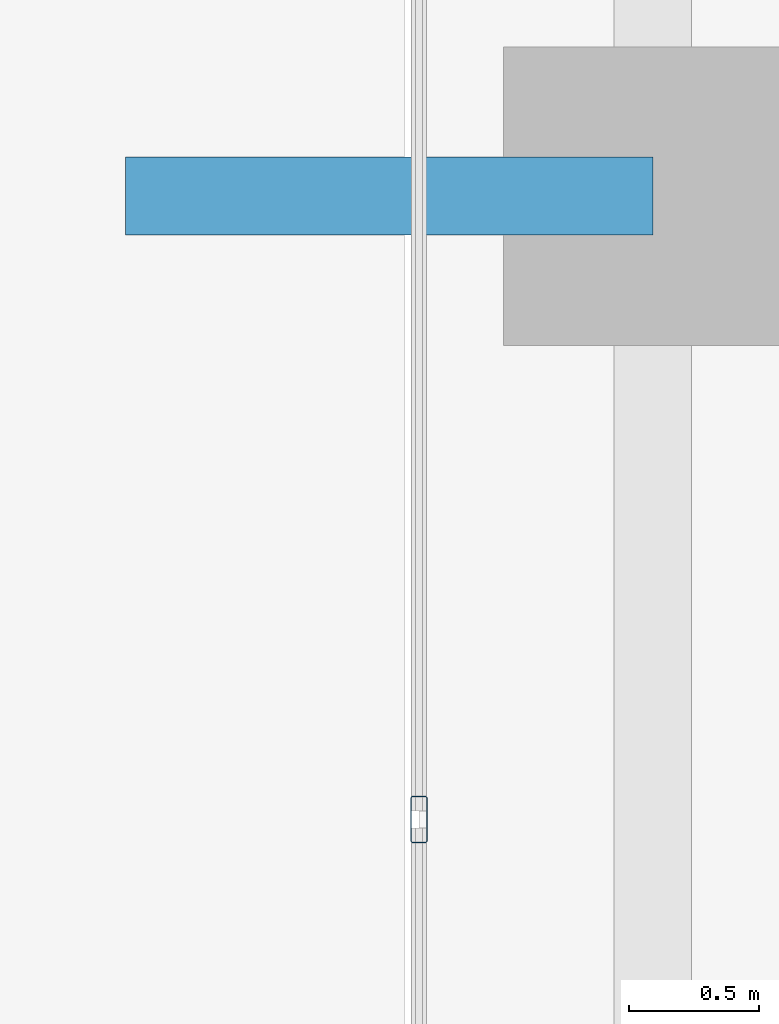
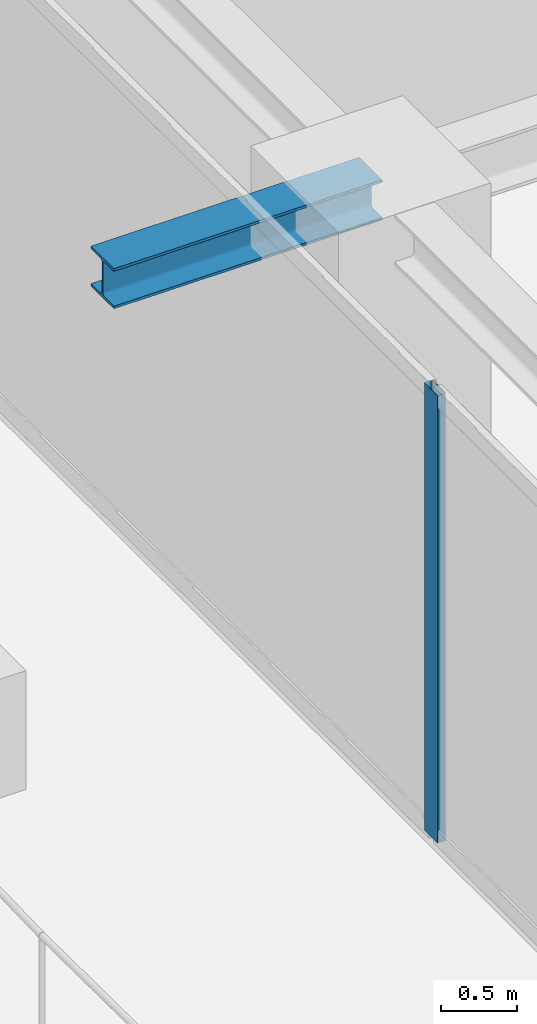
# One storey, part 9 of 38: 1 beam, 1 member, 1 element without a shape of its own.
"""IFC4 building model written with IfcOpenShell, lengths in metres."""

from ifc_helpers import new_model, si_unit, direction, frame, origin, origin_2d, place, context, subcontext, project, spatial, hollow_rectangle, i_section, extrude, source, transform, mapped, material, layer, layer_set, material_profile, profile_set, type_object, element, aggregate, save


model = new_model("IFC4")

# Units and contexts
model_context = context("Model", 3, precision=1e-05, world=origin(), true_north=direction((0.0, 1.0)))
body_context = subcontext(model_context, "Body", "Model", "MODEL_VIEW")
ifc_project = project(units=[si_unit("LENGTHUNIT", "METRE"), si_unit("AREAUNIT", "SQUARE_METRE"), si_unit("VOLUMEUNIT", "CUBIC_METRE"), si_unit("PLANEANGLEUNIT", "RADIAN"), si_unit("MASSUNIT", "GRAM", prefix="KILO")], contexts=[model_context])

# Site, building, storey
site_placement = place(None, origin())
site = spatial("IfcSite", under=ifc_project, at=site_placement, CompositionType="ELEMENT")
building_placement = place(site_placement, origin())
building = spatial("IfcBuilding", under=site, at=building_placement, Name="Serunith Strait Residences", CompositionType="ELEMENT")
storey_placement = place(building_placement, frame((0.0, 0.0, 241.25)))
storey = spatial("IfcBuildingStorey", under=building, at=storey_placement, Name="L60", CompositionType="ELEMENT", Elevation=241.25)

# Beam
ifc_material_1 = material(Name="Steel S355J2", Category="steel")
ifc_material_profile_1 = material_profile(ifc_material_1, i_section(OverallWidth=0.300048828125, OverallDepth=0.320068359375, WebThickness=0.011474609375, FlangeThickness=0.0205078125, FilletRadius=0.027099609375, at=origin_2d()), Name="HEB 320")
ifc_profile_set_1 = profile_set([ifc_material_profile_1], Name="Steel S355J2")
beam_type = type_object("IfcBeamType", Name="BM-HEB320", PredefinedType="BEAM", material=ifc_profile_set_1)
shared_shape_1 = source(origin(), body_context, "Body", "SweptSolid", [
    extrude(i_section(OverallWidth=0.300048828125, OverallDepth=0.320068359375, WebThickness=0.011474609375, FlangeThickness=0.0205078125, FilletRadius=0.027099609375, at=origin_2d()), origin(), (0.0, 0.0, 1.0), 2.030029296875),
])
beam_placement = place(storey_placement, frame((8.300048828125, 29.39990234375, 3.39697265625), z_axis=(-1.0, 0.0, 0.0), x_axis=(0.0, -1.0, 0.0)))
element("IfcBeam", 1, at=beam_placement, inside=storey, type_object=beam_type, Name="L61 Cantilevered Balcony Rib TC-W3", PredefinedType="BEAM", context=body_context, shape_type="MappedRepresentation", body=[
    mapped(shared_shape_1, transform((0.0, 0.0, 0.0), scale=1.0)),
])

# Curtain wall, member
ifc_material_2 = material(Name="Pale-Champagne Anodised Aluminium", Category="aluminium")
ifc_layer = layer(ifc_material_2, 0.199951171875, Name="Pale-Champagne Anodised Aluminium")
ifc_layer_set = layer_set([ifc_layer], Name="Pale-Champagne Anodised Aluminium")
curtain_wall_type = type_object("IfcCurtainWallType", Name="CW-SYS4", PredefinedType="NOTDEFINED", material=ifc_layer_set)
curtain_wall_placement = place(storey_placement, origin())
curtain_wall = element("IfcCurtainWall", 2, at=curtain_wall_placement, inside=storey, type_object=curtain_wall_type, Name="L60 W Unitised Fritted Curtain Wall", PredefinedType="NOTDEFINED")
ifc_material_profile_2 = material_profile(ifc_material_2, hollow_rectangle(XDim=0.06494140625, YDim=0.179931640625, WallThickness=0.00341796875, InnerFilletRadius=0.00537109375, OuterFilletRadius=0.0087890625, at=origin_2d()), Name="ALU 180x65x3.5")
ifc_profile_set_2 = profile_set([ifc_material_profile_2], Name="Pale-Champagne Anodised Aluminium")
member_type = type_object("IfcMemberType", Name="CW-SYS4-MULL", PredefinedType="MULLION", material=ifc_profile_set_2)
shared_shape_2 = source(origin(), body_context, "Body", "SweptSolid", [
    extrude(hollow_rectangle(XDim=0.06494140625, YDim=0.179931640625, WallThickness=0.00341796875, InnerFilletRadius=0.00537109375, OuterFilletRadius=0.0087890625, at=origin_2d()), origin(), (0.0, 0.0, 1.0), 3.574951171875),
])
member_placement = place(storey_placement, frame((7.39990234375, 27.0, 0.0), z_axis=(0.0, 0.0, 1.0), x_axis=(1.0, 0.0, 0.0)))
member = element("IfcMember", 3, at=member_placement, type_object=member_type, Name="CW-4 mullion 3", PredefinedType="MULLION", context=body_context, shape_type="MappedRepresentation", body=[
    mapped(shared_shape_2, transform((0.0, 0.0, 0.0), scale=1.0)),
])
aggregate(curtain_wall, [member])

save(model, "model.ifc")
